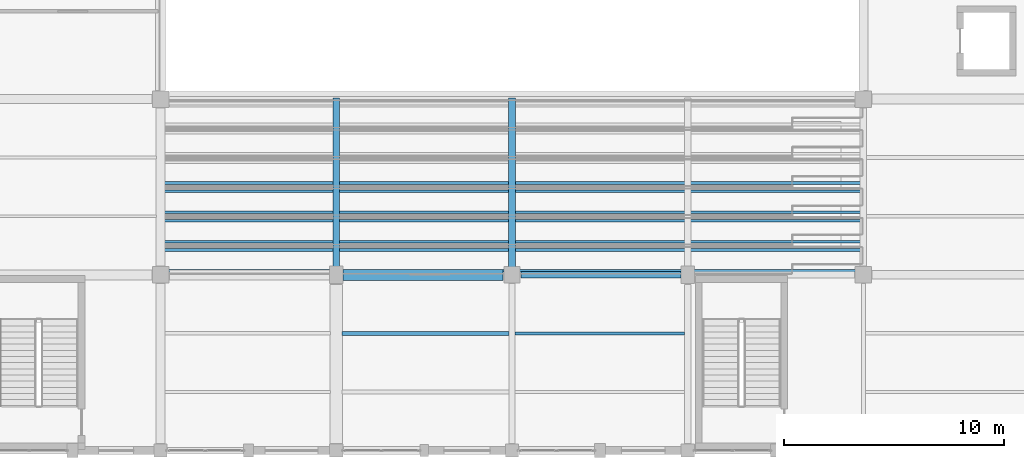
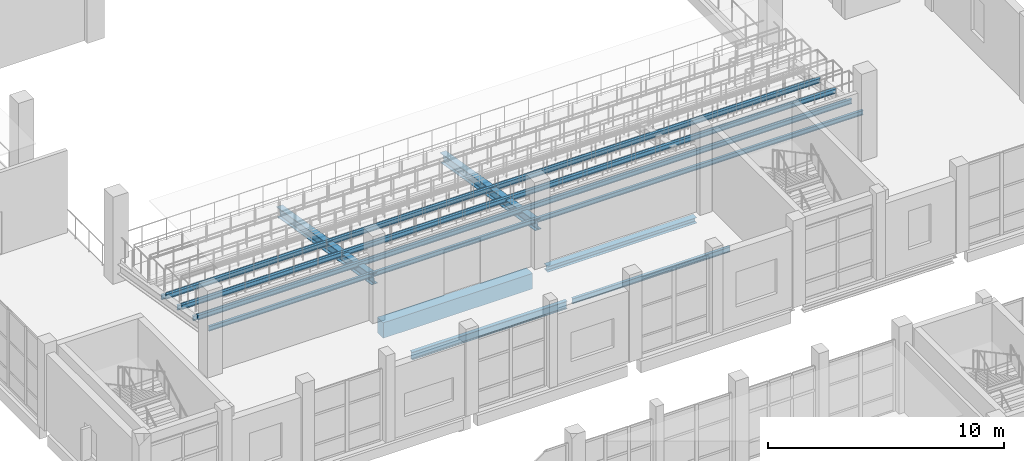
# One storey, part 42 of 183: 13 beams.
"""IFC4 building model written with IfcOpenShell, lengths in metres."""

from ifc_helpers import new_model, si_unit, direction, frame, origin, origin_2d, place, context, subcontext, project, spatial, rectangle, i_section, extrude, material, material_profile, profile_set, type_object, element, save


model = new_model("IFC4")

# Units and contexts
model_context = context("Model", 3, precision=1e-05, world=origin(), true_north=direction((0.0, 1.0)))
body_context = subcontext(model_context, "Body", "Model", "MODEL_VIEW")
ifc_project = project(units=[si_unit("LENGTHUNIT", "METRE"), si_unit("AREAUNIT", "SQUARE_METRE"), si_unit("VOLUMEUNIT", "CUBIC_METRE"), si_unit("PLANEANGLEUNIT", "RADIAN"), si_unit("MASSUNIT", "GRAM", prefix="KILO")], contexts=[model_context])

# Site, building, storey
site_placement = place(None, origin())
site = spatial("IfcSite", under=ifc_project, at=site_placement, CompositionType="ELEMENT")
building_placement = place(site_placement, origin())
building = spatial("IfcBuilding", under=site, at=building_placement, Name="Luwemba Playhouse", CompositionType="ELEMENT")
storey_placement = place(building_placement, frame((0.0, 0.0, 4.800048828125)))
storey = spatial("IfcBuildingStorey", under=building, at=storey_placement, Name="L01", CompositionType="ELEMENT", Elevation=4.800048828125)

# Beams
ifc_material_1 = material(Name="Concrete C40/50", Category="concrete")
ifc_material_profile_1 = material_profile(ifc_material_1, rectangle(XDim=0.5, YDim=0.800048828125, at=origin_2d()))
ifc_profile_set_1 = profile_set([ifc_material_profile_1], Name="Concrete C40/50")
beam_type_1 = type_object("IfcBeamType", Name="BM-RB06", PredefinedType="BEAM", material=ifc_profile_set_1)
beam_1_placement = place(storey_placement, frame((20.300048828125, 44.0, -0.650146484375), z_axis=(1.0, 0.0, 0.0), x_axis=(0.0, 1.0, 0.0)))
element("IfcBeam", 1, at=beam_1_placement, inside=storey, type_object=beam_type_1, Name="L01 grid girder 0347", PredefinedType="BEAM", context=body_context, shape_type="SweptSolid", body=[
    extrude(rectangle(XDim=0.5, YDim=0.800048828125, at=origin_2d()), origin(), (0.0, 0.0, 1.0), 7.300048828125),
])
ifc_material_2 = material(Name="Steel S355", Category="steel")
ifc_material_profile_2 = material_profile(ifc_material_2, i_section(OverallWidth=0.300048828125, OverallDepth=0.5, WebThickness=0.014404296875, FlangeThickness=0.028076171875, FilletRadius=0.027099609375, at=origin_2d()))
ifc_profile_set_2 = profile_set([ifc_material_profile_2], Name="Steel S355")
beam_type_2 = type_object("IfcBeamType", Name="BM-RK3", PredefinedType="USERDEFINED", material=ifc_profile_set_2)
for number, where, z_axis, x_axis, name in (
    (2, (20.0, 44.0, 1.97998046875), (0.0, 0.986395550941, -0.164389224356), (-1.0, 0.0, 0.0), "RAKER girder Dress Circle 07"),
    (3, (28.0, 44.0, 1.97998046875), (0.0, 0.986395550941, -0.164389224356), (-1.0, 0.0, 0.0), "RAKER girder Dress Circle 08"),
):
    element("IfcBeam", number, at=place(storey_placement, frame(where, z_axis=z_axis, x_axis=x_axis)), inside=storey, type_object=beam_type_2, Name=name, ObjectType="RAKER", PredefinedType="USERDEFINED", context=body_context, shape_type="SweptSolid", body=[
        extrude(i_section(OverallWidth=0.300048828125, OverallDepth=0.5, WebThickness=0.014404296875, FlangeThickness=0.028076171875, FilletRadius=0.027099609375, at=origin_2d()), origin(), (0.0, 0.0, 1.0), 8.1103515625),
    ])
ifc_material_profile_3 = material_profile(ifc_material_2, i_section(OverallWidth=0.300048828125, OverallDepth=0.2900390625, WebThickness=0.008544921875, FlangeThickness=0.013916015625, FilletRadius=0.027099609375, at=origin_2d()))
ifc_profile_set_3 = profile_set([ifc_material_profile_3], Name="Steel S355")
beam_type_3 = type_object("IfcBeamType", Name="BM-SB03", PredefinedType="BEAM", material=ifc_profile_set_3)
beam_2_placement = place(storey_placement, frame((28.39990234375, 44.0, -0.39501953125), z_axis=(1.0, 0.0, 0.0), x_axis=(0.0, 1.0, 0.0)))
element("IfcBeam", 4, at=beam_2_placement, inside=storey, type_object=beam_type_3, Name="L01 grid girder 0348", PredefinedType="BEAM", context=body_context, shape_type="SweptSolid", body=[
    extrude(i_section(OverallWidth=0.300048828125, OverallDepth=0.2900390625, WebThickness=0.008544921875, FlangeThickness=0.013916015625, FilletRadius=0.027099609375, at=origin_2d()), origin(), (0.0, 0.0, 1.0), 7.300048828125),
])
ifc_material_profile_4 = material_profile(ifc_material_2, i_section(OverallWidth=0.1201171875, OverallDepth=0.239990234375, WebThickness=0.006103515625, FlangeThickness=0.009765625, FilletRadius=0.014892578125, at=origin_2d()))
ifc_profile_set_4 = profile_set([ifc_material_profile_4], Name="Steel S355")
beam_type_4 = type_object("IfcBeamType", Name="BM-SJ03", PredefinedType="JOIST", material=ifc_profile_set_4)
for number, where, z_axis, x_axis, name in (
    (5, (12.0, 44.179931640625, 2.10498046875), (1.0, 0.0, 0.0), (0.0, 1.0, 0.0), "Stand Dress Circle step bearer 07-1"),
    (6, (12.0, 45.13330078125, 2.10498046875), (1.0, 0.0, 0.0), (0.0, 1.0, 0.0), "Stand Dress Circle step bearer 07-2"),
    (7, (12.0, 45.51318359375, 1.838134765625), (1.0, 0.0, 0.0), (0.0, 1.0, 0.0), "Stand Dress Circle step bearer 08-1"),
    (8, (12.0, 46.466552734375, 1.838134765625), (1.0, 0.0, 0.0), (0.0, 1.0, 0.0), "Stand Dress Circle step bearer 08-2"),
    (9, (12.0, 46.8466796875, 1.571533203125), (1.0, 0.0, 0.0), (0.0, 1.0, 0.0), "Stand Dress Circle step bearer 09-1"),
    (10, (12.0, 47.800048828125, 1.571533203125), (1.0, 0.0, 0.0), (0.0, 1.0, 0.0), "Stand Dress Circle step bearer 09-2"),
    (11, (12.0, 48.179931640625, 1.304931640625), (1.0, 0.0, 0.0), (0.0, 1.0, 0.0), "Stand Dress Circle step bearer 10-1"),
):
    element("IfcBeam", number, at=place(storey_placement, frame(where, z_axis=z_axis, x_axis=x_axis)), inside=storey, type_object=beam_type_4, Name=name, PredefinedType="JOIST", context=body_context, shape_type="SweptSolid", body=[
        extrude(i_section(OverallWidth=0.1201171875, OverallDepth=0.239990234375, WebThickness=0.006103515625, FlangeThickness=0.009765625, FilletRadius=0.014892578125, at=origin_2d()), origin(), (0.0, 0.0, 1.0), 32.0),
    ])
ifc_material_profile_5 = material_profile(ifc_material_2, i_section(OverallWidth=0.135009765625, OverallDepth=0.27001953125, WebThickness=0.006591796875, FlangeThickness=0.01025390625, FilletRadius=0.014892578125, at=origin_2d()))
ifc_profile_set_5 = profile_set([ifc_material_profile_5], Name="Steel S355")
beam_type_5 = type_object("IfcBeamType", Name="BM-SJ04", PredefinedType="JOIST", material=ifc_profile_set_5)
beam_3_placement = place(storey_placement, frame((28.135986328125, 41.333251953125, -0.385009765625), z_axis=(1.0, 0.0, 0.0), x_axis=(0.0, 1.0, 0.0)))
element("IfcBeam", 12, at=beam_3_placement, inside=storey, type_object=beam_type_5, Name="L01 composite floor joist 0245", PredefinedType="JOIST", context=body_context, shape_type="SweptSolid", body=[
    extrude(i_section(OverallWidth=0.135009765625, OverallDepth=0.27001953125, WebThickness=0.006591796875, FlangeThickness=0.01025390625, FilletRadius=0.014892578125, at=origin_2d()), origin(), (0.0, 0.0, 1.0), 7.718017578125),
])
ifc_material_profile_6 = material_profile(ifc_material_2, i_section(OverallWidth=0.179931640625, OverallDepth=0.39990234375, WebThickness=0.008544921875, FlangeThickness=0.013427734375, FilletRadius=0.02099609375, at=origin_2d()))
ifc_profile_set_6 = profile_set([ifc_material_profile_6], Name="Steel S355")
beam_type_6 = type_object("IfcBeamType", Name="BM-SJ08", PredefinedType="JOIST", material=ifc_profile_set_6)
beam_4_placement = place(storey_placement, frame((20.27099609375, 41.333251953125, -0.449951171875), z_axis=(1.0, 0.0, 0.0), x_axis=(0.0, 1.0, 0.0)))
element("IfcBeam", 13, at=beam_4_placement, inside=storey, type_object=beam_type_6, Name="L01 composite floor joist 0243", PredefinedType="JOIST", context=body_context, shape_type="SweptSolid", body=[
    extrude(i_section(OverallWidth=0.179931640625, OverallDepth=0.39990234375, WebThickness=0.008544921875, FlangeThickness=0.013427734375, FilletRadius=0.02099609375, at=origin_2d()), origin(), (0.0, 0.0, 1.0), 7.593017578125),
])

save(model, "model.ifc")
